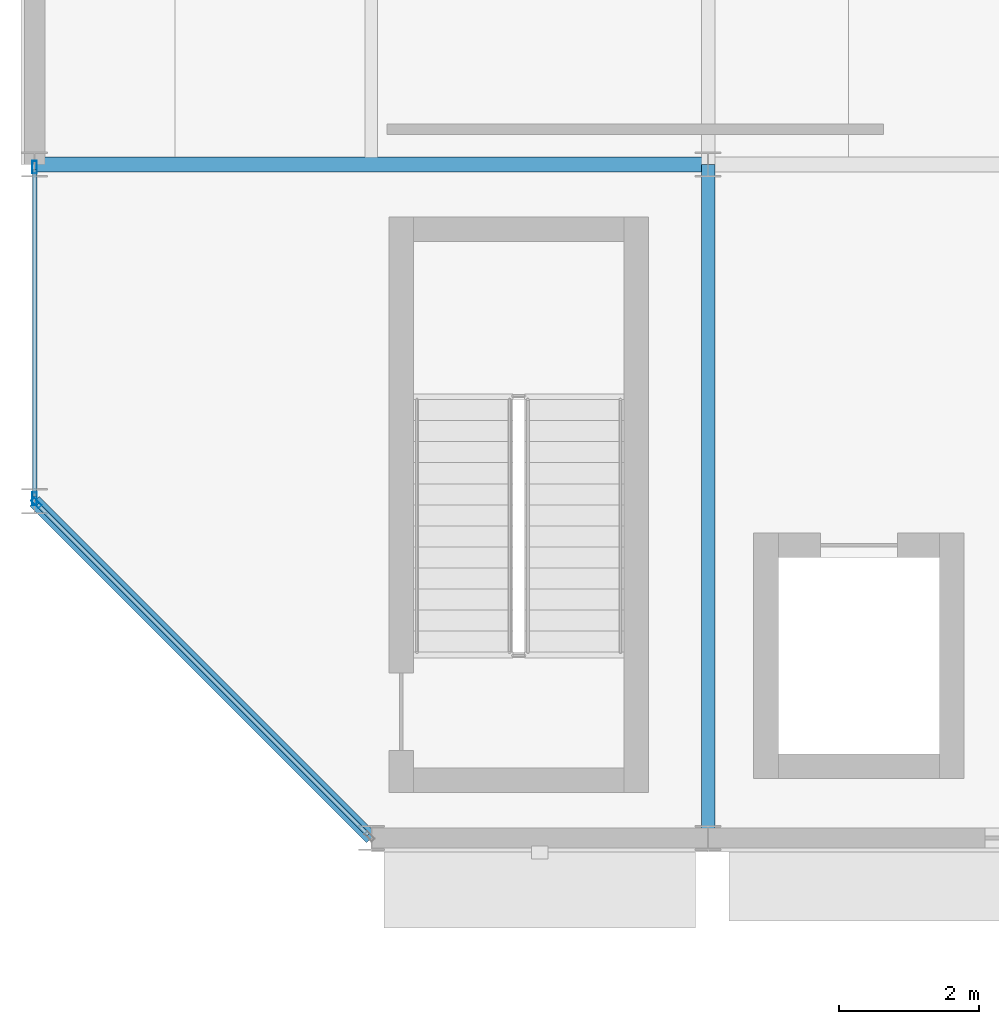
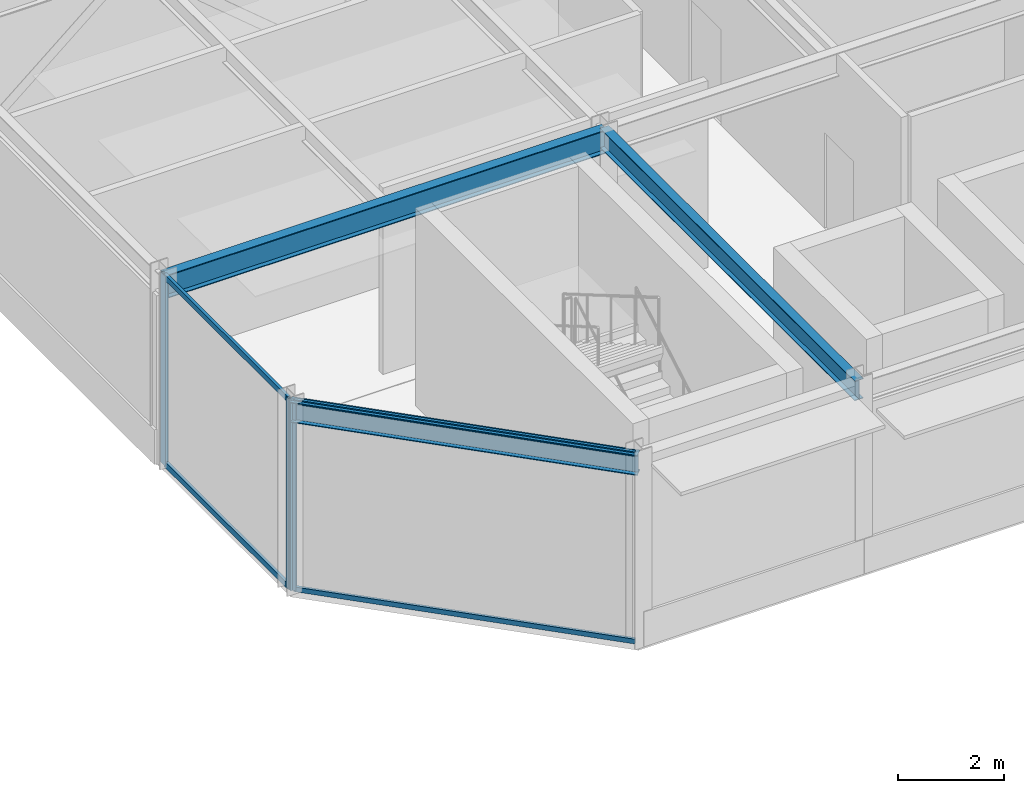
# One storey, part 47 of 133: 7 members, 3 beams, 2 elements without a shape of their own.
"""IFC4 building model written with IfcOpenShell, lengths in metres."""

from ifc_helpers import new_model, si_unit, direction, frame, origin, origin_2d, place, context, subcontext, project, spatial, hollow_rectangle, i_section, extrude, material, material_profile, profile_set, type_object, element, aggregate, save


model = new_model("IFC4")

# Units and contexts
model_context = context("Model", 3, precision=1e-05, world=origin(), true_north=direction((0.0, 1.0)))
body_context = subcontext(model_context, "Body", "Model", "MODEL_VIEW")
ifc_project = project(units=[si_unit("LENGTHUNIT", "METRE"), si_unit("AREAUNIT", "SQUARE_METRE"), si_unit("VOLUMEUNIT", "CUBIC_METRE"), si_unit("PLANEANGLEUNIT", "RADIAN"), si_unit("MASSUNIT", "GRAM", prefix="KILO")], contexts=[model_context])

# Site, building, storey
site_placement = place(None, origin())
site = spatial("IfcSite", under=ifc_project, at=site_placement, CompositionType="ELEMENT")
building_placement = place(site_placement, origin())
building = spatial("IfcBuilding", under=site, at=building_placement, Name="Almandine Court Research Institute", CompositionType="ELEMENT")
storey_placement = place(building_placement, frame((0.0, 0.0, 9.800048828125)))
storey = spatial("IfcBuildingStorey", under=building, at=storey_placement, Name="L02", CompositionType="ELEMENT", Elevation=9.800048828125)

# Beams
ifc_material_1 = material(Name="Steel ASTM A992 Grade 50", Category="steel")
ifc_material_profile_1 = material_profile(ifc_material_1, i_section(OverallWidth=0.18994140625, OverallDepth=0.45703125, WebThickness=0.009033203125, FlangeThickness=0.014892578125, at=origin_2d()), Name="W460x74")
ifc_profile_set_1 = profile_set([ifc_material_profile_1], Name="Steel ASTM A992 Grade 50")
beam_type_1 = type_object("IfcBeamType", Name="Beam-B-01", PredefinedType="BEAM", material=ifc_profile_set_1)
beam_1_placement = place(storey_placement, frame((15.60009765625, 84.0, 4.140869140625), z_axis=(0.0, 1.0, 0.0), x_axis=(-1.0, 0.0, 0.0)))
element("IfcBeam", 1, at=beam_1_placement, inside=storey, type_object=beam_type_1, Name="L02 V3 Primary Y Girder", PredefinedType="BEAM", context=body_context, shape_type="SweptSolid", body=[
    extrude(i_section(OverallWidth=0.18994140625, OverallDepth=0.45703125, WebThickness=0.009033203125, FlangeThickness=0.014892578125, at=origin_2d()), origin(), (0.0, 0.0, 1.0), 9.60009765625),
])
ifc_material_profile_2 = material_profile(ifc_material_1, i_section(OverallWidth=0.2109375, OverallDepth=0.5390625, WebThickness=0.011962890625, FlangeThickness=0.01904296875, at=origin_2d()), Name="W530x109")
ifc_profile_set_2 = profile_set([ifc_material_profile_2], Name="Steel ASTM A992 Grade 50")
beam_type_2 = type_object("IfcBeamType", Name="Beam-G-04", PredefinedType="BEAM", material=ifc_profile_set_2)
beam_2_placement = place(storey_placement, frame((6.0, 93.60009765625, 4.099853515625), z_axis=(1.0, 0.0, 0.0), x_axis=(0.0, 1.0, 0.0)))
element("IfcBeam", 2, at=beam_2_placement, inside=storey, type_object=beam_type_2, Name="L02 V3 Primary X Girder", PredefinedType="BEAM", context=body_context, shape_type="SweptSolid", body=[
    extrude(i_section(OverallWidth=0.2109375, OverallDepth=0.5390625, WebThickness=0.011962890625, FlangeThickness=0.01904296875, at=origin_2d()), origin(), (0.0, 0.0, 1.0), 9.60009765625),
])
ifc_material_profile_3 = material_profile(ifc_material_1, i_section(OverallWidth=0.193115234375, OverallDepth=0.466064453125, WebThickness=0.010986328125, FlangeThickness=0.01904296875, at=origin_2d()), Name="W460x97")
ifc_profile_set_3 = profile_set([ifc_material_profile_3], Name="Steel ASTM A992 Grade 50")
beam_type_3 = type_object("IfcBeamType", Name="Beam-G-06-E", PredefinedType="SPANDREL", material=ifc_profile_set_3)
beam_3_placement = place(storey_placement, frame((6.0, 88.800048828125, 4.136962890625), z_axis=(0.707106781187, -0.707106781187, 0.0), x_axis=(0.707106781187, 0.707106781187, 0.0)))
element("IfcBeam", 3, at=beam_3_placement, inside=storey, type_object=beam_type_3, Name="L02 V3 Octagonal Chamfer Spandrel", PredefinedType="SPANDREL", context=body_context, shape_type="SweptSolid", body=[
    extrude(i_section(OverallWidth=0.193115234375, OverallDepth=0.466064453125, WebThickness=0.010986328125, FlangeThickness=0.01904296875, at=origin_2d()), origin(), (0.0, 0.0, 1.0), 6.788330078125),
])

# Curtain wall, member
ifc_material_2 = material(Name="Unitised Curtain Wall Framing and Solar Glazing", Category="glass")
curtain_wall_type_1 = type_object("IfcCurtainWallType", Name="CW-CWG-05", PredefinedType="USERDEFINED", material=ifc_material_2)
curtain_wall_1_placement = place(storey_placement, origin())
curtain_wall_1 = element("IfcCurtainWall", 4, at=curtain_wall_1_placement, inside=storey, type_object=curtain_wall_type_1, Name="L02 Cleanroom SW Chamfer Glazing", ObjectType="UNITISED GLAZING", PredefinedType="USERDEFINED")
ifc_material_3 = material(Name="Anodised Aluminium AW-6063-T6", Category="aluminium")
ifc_material_profile_4 = material_profile(ifc_material_3, hollow_rectangle(XDim=0.06005859375, YDim=0.14990234375, WallThickness=0.00390625, at=origin_2d()), Name="ALU RHS 60x150x4")
ifc_profile_set_4 = profile_set([ifc_material_profile_4], Name="Anodised Aluminium AW-6063-T6")
member_type_1 = type_object("IfcMemberType", Name="CWMul-60x150", PredefinedType="MULLION", material=ifc_profile_set_4)
member_1_placement = place(storey_placement, frame((6.025146484375, 88.77490234375, 0.0), z_axis=(0.0, 0.0, 1.0), x_axis=(-0.707106781187, -0.707106781187, 0.0)))
member_1 = element("IfcMember", 5, at=member_1_placement, type_object=member_type_1, Name="CWG-05 mullion 2", PredefinedType="MULLION", context=body_context, shape_type="SweptSolid", body=[
    extrude(hollow_rectangle(XDim=0.06005859375, YDim=0.14990234375, WallThickness=0.00390625, at=origin_2d()), origin(), (0.0, 0.0, 1.0), 4.369873046875),
])

# Curtain wall, members
curtain_wall_type_2 = type_object("IfcCurtainWallType", Name="CW-CWJ-06", PredefinedType="USERDEFINED", material=ifc_material_2)
curtain_wall_2_placement = place(storey_placement, origin())
curtain_wall_2 = element("IfcCurtainWall", 6, at=curtain_wall_2_placement, inside=storey, type_object=curtain_wall_type_2, Name="L02 Cleanroom West Jali Curtain Wall", ObjectType="SOLAR JALI SCREEN", PredefinedType="USERDEFINED")
ifc_material_profile_5 = material_profile(ifc_material_3, hollow_rectangle(XDim=0.06494140625, YDim=0.179931640625, WallThickness=0.00390625, at=origin_2d()), Name="ALU RHS 65x180x4")
ifc_profile_set_5 = profile_set([ifc_material_profile_5], Name="Anodised Aluminium AW-6063-T6")
member_type_2 = type_object("IfcMemberType", Name="CWMul-65x180", PredefinedType="MULLION", material=ifc_profile_set_5)
member_2_placement = place(storey_placement, frame((6.0, 88.83642578125, 0.0), z_axis=(0.0, 0.0, 1.0), x_axis=(-1.0, 0.0, 0.0)))
member_2 = element("IfcMember", 7, at=member_2_placement, type_object=member_type_2, Name="CWJ-06 mullion 1", PredefinedType="MULLION", context=body_context, shape_type="SweptSolid", body=[
    extrude(hollow_rectangle(XDim=0.06494140625, YDim=0.179931640625, WallThickness=0.00390625, at=origin_2d()), origin(), (0.0, 0.0, 1.0), 4.369873046875),
])
member_3_placement = place(storey_placement, frame((6.0, 93.5634765625, 0.0), z_axis=(0.0, 0.0, 1.0), x_axis=(-1.0, 0.0, 0.0)))
member_3 = element("IfcMember", 8, at=member_3_placement, type_object=member_type_2, Name="CWJ-06 mullion 2", PredefinedType="MULLION", context=body_context, shape_type="SweptSolid", body=[
    extrude(hollow_rectangle(XDim=0.06494140625, YDim=0.179931640625, WallThickness=0.00390625, at=origin_2d()), origin(), (0.0, 0.0, 1.0), 4.369873046875),
])

# Member
ifc_material_profile_6 = material_profile(ifc_material_3, hollow_rectangle(XDim=0.06005859375, YDim=0.110107421875, WallThickness=0.00390625, at=origin_2d()), Name="ALU RHS 60x110x4")
ifc_profile_set_6 = profile_set([ifc_material_profile_6], Name="Anodised Aluminium AW-6063-T6")
member_type_3 = type_object("IfcMemberType", Name="CWTrn-60x110", PredefinedType="NOTDEFINED", material=ifc_profile_set_6)
member_4_placement = place(storey_placement, frame((10.753662109375, 84.04638671875, 0.030029296875), z_axis=(-0.707106781187, 0.707106781187, 0.0), x_axis=(-0.707106781187, -0.707106781187, 0.0)))
member_4 = element("IfcMember", 9, at=member_4_placement, type_object=member_type_3, Name="CWG-05 transom 1.1", ObjectType="TRANSOM", PredefinedType="USERDEFINED", context=body_context, shape_type="SweptSolid", body=[
    extrude(hollow_rectangle(XDim=0.06005859375, YDim=0.110107421875, WallThickness=0.00390625, at=origin_2d()), origin(), (0.0, 0.0, 1.0), 6.656982421875),
])

member_5_placement = place(storey_placement, frame((10.753662109375, 84.04638671875, 4.33984375), z_axis=(-0.707106781187, 0.707106781187, 0.0), x_axis=(-0.707106781187, -0.707106781187, 0.0)))
member_5 = element("IfcMember", 10, at=member_5_placement, type_object=member_type_3, Name="CWG-05 transom 1.2", ObjectType="TRANSOM", PredefinedType="USERDEFINED", context=body_context, shape_type="SweptSolid", body=[
    extrude(hollow_rectangle(XDim=0.06005859375, YDim=0.110107421875, WallThickness=0.00390625, at=origin_2d()), origin(), (0.0, 0.0, 1.0), 6.656982421875),
])

aggregate(curtain_wall_1, [member_1, member_4, member_5])

ifc_material_profile_7 = material_profile(ifc_material_3, hollow_rectangle(XDim=0.06494140625, YDim=0.1298828125, WallThickness=0.00390625, at=origin_2d()), Name="ALU RHS 65x130x4")
ifc_profile_set_7 = profile_set([ifc_material_profile_7], Name="Anodised Aluminium AW-6063-T6")
member_type_4 = type_object("IfcMemberType", Name="CWTrn-65x130", PredefinedType="NOTDEFINED", material=ifc_profile_set_7)
member_6_placement = place(storey_placement, frame((6.0, 88.868896484375, 0.032470703125), z_axis=(0.0, 1.0, 0.0), x_axis=(-1.0, 0.0, 0.0)))
member_6 = element("IfcMember", 11, at=member_6_placement, type_object=member_type_4, Name="CWJ-06 transom 1.1", ObjectType="TRANSOM", PredefinedType="USERDEFINED", context=body_context, shape_type="SweptSolid", body=[
    extrude(hollow_rectangle(XDim=0.06494140625, YDim=0.1298828125, WallThickness=0.00390625, at=origin_2d()), origin(), (0.0, 0.0, 1.0), 4.662109375),
])

member_7_placement = place(storey_placement, frame((6.0, 88.868896484375, 4.33740234375), z_axis=(0.0, 1.0, 0.0), x_axis=(-1.0, 0.0, 0.0)))
member_7 = element("IfcMember", 12, at=member_7_placement, type_object=member_type_4, Name="CWJ-06 transom 1.2", ObjectType="TRANSOM", PredefinedType="USERDEFINED", context=body_context, shape_type="SweptSolid", body=[
    extrude(hollow_rectangle(XDim=0.06494140625, YDim=0.1298828125, WallThickness=0.00390625, at=origin_2d()), origin(), (0.0, 0.0, 1.0), 4.662109375),
])

aggregate(curtain_wall_2, [member_2, member_3, member_6, member_7])

save(model, "model.ifc")
